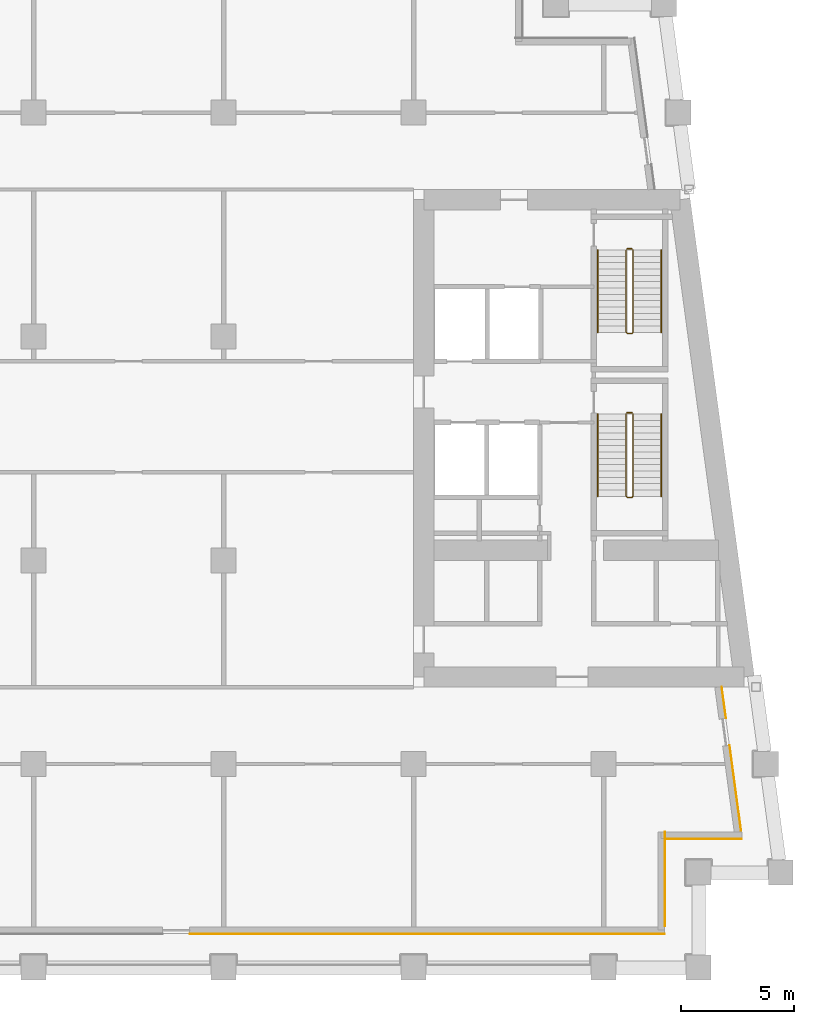
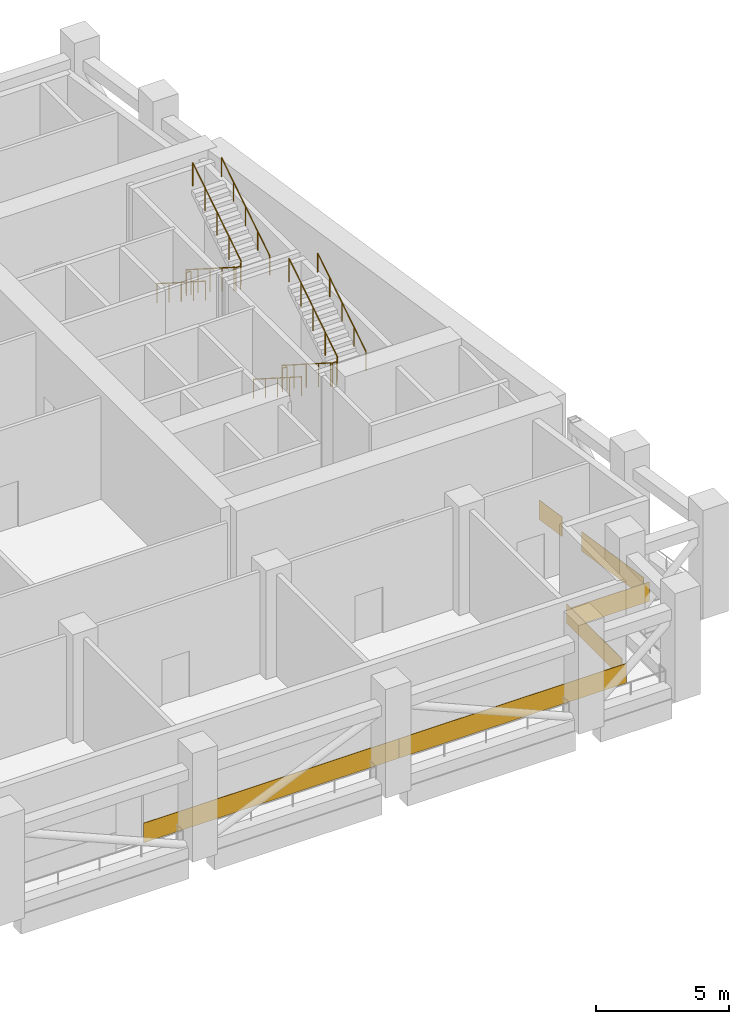
# One storey, part 11 of 12: 8 railings, 6 coverings.
"""IFC4 building model written with IfcOpenShell, lengths in metres."""

from ifc_helpers import new_model, si_unit, direction, frame, origin, origin_2d, place, context, subcontext, project, spatial, rectangle, circle, extrude, material, layer, layer_set, type_object, element, save


model = new_model("IFC4")

# Units and contexts
model_context = context("Model", 3, precision=1e-05, world=origin(), true_north=direction((0.0, 1.0)))
body_context = subcontext(model_context, "Body", "Model", "MODEL_VIEW")
ifc_project = project(units=[si_unit("LENGTHUNIT", "METRE"), si_unit("AREAUNIT", "SQUARE_METRE"), si_unit("VOLUMEUNIT", "CUBIC_METRE"), si_unit("PLANEANGLEUNIT", "RADIAN"), si_unit("MASSUNIT", "GRAM", prefix="KILO")], contexts=[model_context])

# Site, building, storey
site_placement = place(None, origin())
site = spatial("IfcSite", under=ifc_project, at=site_placement, CompositionType="ELEMENT")
building_placement = place(site_placement, origin())
building = spatial("IfcBuilding", under=site, at=building_placement, Name="Candeia Pilgrim Tower and Theatre", CompositionType="ELEMENT")
storey_placement = place(building_placement, frame((0.0, 0.0, 197.199951171875)))
storey = spatial("IfcBuildingStorey", under=building, at=storey_placement, Name="L47", CompositionType="ELEMENT", Elevation=197.199951171875)

# Coverings
ifc_material_1 = material(Name="Glazed ceramic tile bottle green")
ifc_layer_1 = layer(ifc_material_1, 0.02001953125)
ifc_layer_set_1 = layer_set([ifc_layer_1], Name="Glazed ceramic tile bottle green")
covering_type_1 = type_object("IfcCoveringType", Name="Glazed ceramic tile bottle green", PredefinedType="CLADDING", material=ifc_layer_set_1)
covering_1_placement = place(storey_placement, frame((121.64990234375, 99.489990234375, 0.0), z_axis=(0.0, 0.0, 1.0), x_axis=(1.0, 0.0, 0.0)))
element("IfcCovering", 1, at=covering_1_placement, inside=storey, type_object=covering_type_1, Name="Tile cladding bottle green L47", PredefinedType="CLADDING", context=body_context, shape_type="SweptSolid", body=[
    extrude(rectangle(XDim=11.10009765625, YDim=0.02001953125, at=origin_2d()), origin(), (0.0, 0.0, 1.0), 0.89990234375),
])
covering_2_placement = place(storey_placement, frame((137.110107421875, 101.909912109375, 0.0), z_axis=(0.0, 0.0, 1.0), x_axis=(0.0, 1.0, 0.0)))
element("IfcCovering", 2, at=covering_2_placement, inside=storey, type_object=covering_type_1, Name="Tile cladding bottle green L47", PredefinedType="CLADDING", context=body_context, shape_type="SweptSolid", body=[
    extrude(rectangle(XDim=4.179931640625, YDim=0.02001953125, at=origin_2d()), origin(), (0.0, 0.0, 1.0), 0.89990234375),
])
covering_3_placement = place(storey_placement, frame((140.228515625, 105.933349609375, 0.0), z_axis=(0.0, 0.0, 1.0), x_axis=(-0.133412012145, 0.991060661622, 0.0)))
element("IfcCovering", 3, at=covering_3_placement, inside=storey, type_object=covering_type_1, Name="Tile cladding bottle green L47", PredefinedType="CLADDING", context=body_context, shape_type="SweptSolid", body=[
    extrude(rectangle(XDim=3.821044921875, YDim=0.02001953125, at=origin_2d()), origin(), (0.0, 0.0, 1.0), 0.89990234375),
])
covering_4_placement = place(storey_placement, frame((139.718994140625, 109.71875, 0.0), z_axis=(0.0, 0.0, 1.0), x_axis=(-0.133412012145, 0.991060661622, 0.0)))
element("IfcCovering", 4, at=covering_4_placement, inside=storey, type_object=covering_type_1, Name="Tile cladding bottle green L47", PredefinedType="CLADDING", context=body_context, shape_type="SweptSolid", body=[
    extrude(rectangle(XDim=1.41796875, YDim=0.02001953125, at=origin_2d()), origin(), (0.0, 0.0, 1.0), 0.89990234375),
])
ifc_material_2 = material(Name="Glazed ceramic tile rust")
ifc_layer_2 = layer(ifc_material_2, 0.02001953125)
ifc_layer_set_2 = layer_set([ifc_layer_2], Name="Glazed ceramic tile rust")
covering_type_2 = type_object("IfcCoveringType", Name="Glazed ceramic tile rust", PredefinedType="CLADDING", material=ifc_layer_set_2)
covering_5_placement = place(storey_placement, frame((132.14990234375, 99.489990234375, 0.0), z_axis=(0.0, 0.0, 1.0), x_axis=(1.0, 0.0, 0.0)))
element("IfcCovering", 5, at=covering_5_placement, inside=storey, type_object=covering_type_2, Name="Tile cladding rust L47", PredefinedType="CLADDING", context=body_context, shape_type="SweptSolid", body=[
    extrude(rectangle(XDim=9.89990234375, YDim=0.02001953125, at=origin_2d()), origin(), (0.0, 0.0, 1.0), 0.89990234375),
])
covering_6_placement = place(storey_placement, frame((138.819580078125, 103.68994140625, 0.0), z_axis=(0.0, 0.0, 1.0), x_axis=(1.0, 0.0, 0.0)))
element("IfcCovering", 6, at=covering_6_placement, inside=storey, type_object=covering_type_2, Name="Tile cladding rust L47", PredefinedType="CLADDING", context=body_context, shape_type="SweptSolid", body=[
    extrude(rectangle(XDim=3.399169921875, YDim=0.02001953125, at=origin_2d()), origin(), (0.0, 0.0, 1.0), 0.89990234375),
])

# Railings
ifc_material_3 = material(Name="Stainless steel balustrade", Category="steel")
railing_type_1 = type_object("IfcRailingType", Name="RL-GUARD-1100", PredefinedType="GUARDRAIL", material=ifc_material_3)
railing_1_placement = place(storey_placement, frame((135.39794921875, 122.47509765625, 0.1787109375)))
element("IfcRailing", 7, at=railing_1_placement, inside=storey, type_object=railing_type_1, Name="L47 ST3 stair guard 1", PredefinedType="GUARDRAIL", context=body_context, shape_type="SweptSolid", body=[
    extrude(circle(Radius=0.02392578125, at=origin_2d()), frame((0.0, 0.0, 1.076171875), z_axis=(0.0, -0.843153495434, 0.537672933239), x_axis=(1.0, 0.0, 0.0)), (0.0, 0.0, 1.0), 4.3173828125),
    extrude(circle(Radius=0.02392578125, at=origin_2d()), frame((0.0, -3.64013671875, 3.3974609375), z_axis=(0.707106781187, -0.707106781187, 0.0), x_axis=(0.707106781187, 0.707106781187, 0.0)), (0.0, 0.0, 1.0), 0.07080078125),
    extrude(circle(Radius=0.02392578125, at=origin_2d()), frame((0.050048828125, -3.690185546875, 3.3974609375), z_axis=(1.0, 0.0, 0.0), x_axis=(0.0, 1.0, 0.0)), (0.0, 0.0, 1.0), 0.199951171875),
    extrude(circle(Radius=0.02392578125, at=origin_2d()), frame((0.25, -3.690185546875, 3.3974609375), z_axis=(0.260376719329, 0.260376719329, 0.929735407556), x_axis=(-0.707106781187, 0.707106781187, 0.0)), (0.0, 0.0, 1.0), 0.192138671875),
    extrude(circle(Radius=0.02392578125, at=origin_2d()), frame((0.300048828125, -3.64013671875, 3.576171875), z_axis=(0.0, 0.843153495434, 0.537672933239), x_axis=(-1.0, 0.0, 0.0)), (0.0, 0.0, 1.0), 4.3173828125),
    extrude(circle(Radius=0.02099609375, at=origin_2d()), origin(), (0.0, 0.0, 1.0), 1.052001953125),
    extrude(circle(Radius=0.02099609375, at=origin_2d()), frame((0.0, -0.91015625, 0.580322265625)), (0.0, 0.0, 1.0), 1.052001953125),
    extrude(circle(Radius=0.02099609375, at=origin_2d()), frame((0.0, -1.820068359375, 1.16064453125)), (0.0, 0.0, 1.0), 1.052001953125),
    extrude(circle(Radius=0.02099609375, at=origin_2d()), frame((0.0, -2.72998046875, 1.740966796875)), (0.0, 0.0, 1.0), 1.052001953125),
    extrude(circle(Radius=0.02099609375, at=origin_2d()), frame((0.0, -3.64013671875, 2.3212890625)), (0.0, 0.0, 1.0), 1.052001953125),
    extrude(circle(Radius=0.02099609375, at=origin_2d()), frame((0.050048828125, -3.690185546875, 2.3212890625)), (0.0, 0.0, 1.0), 1.052001953125),
    extrude(circle(Radius=0.02099609375, at=origin_2d()), frame((0.25, -3.690185546875, 2.3212890625)), (0.0, 0.0, 1.0), 1.052001953125),
    extrude(circle(Radius=0.02099609375, at=origin_2d()), frame((0.300048828125, -3.64013671875, 2.5)), (0.0, 0.0, 1.0), 1.052001953125),
    extrude(circle(Radius=0.02099609375, at=origin_2d()), frame((0.300048828125, -2.72998046875, 3.080322265625)), (0.0, 0.0, 1.0), 1.052001953125),
    extrude(circle(Radius=0.02099609375, at=origin_2d()), frame((0.300048828125, -1.820068359375, 3.66064453125)), (0.0, 0.0, 1.0), 1.052001953125),
    extrude(circle(Radius=0.02099609375, at=origin_2d()), frame((0.300048828125, -0.91015625, 4.240966796875)), (0.0, 0.0, 1.0), 1.052001953125),
    extrude(circle(Radius=0.02099609375, at=origin_2d()), frame((0.300048828125, 0.0, 4.8212890625)), (0.0, 0.0, 1.0), 1.052001953125),
])
railing_2_placement = place(storey_placement, frame((135.447998046875, 122.52490234375, 0.0)))
element("IfcRailing", 8, at=railing_2_placement, inside=storey, type_object=railing_type_1, Name="L47 ST3 stair guard 2", PredefinedType="GUARDRAIL", context=body_context, shape_type="SweptSolid", body=[
    extrude(circle(Radius=0.02392578125, at=origin_2d()), frame((0.0, 0.0, 1.076171875), z_axis=(1.0, 0.0, 0.0), x_axis=(0.0, 1.0, 0.0)), (0.0, 0.0, 1.0), 0.199951171875),
    extrude(circle(Radius=0.02099609375, at=origin_2d()), origin(), (0.0, 0.0, 1.0), 1.052001953125),
    extrude(circle(Radius=0.02099609375, at=origin_2d()), frame((0.199951171875, 0.0, 0.0)), (0.0, 0.0, 1.0), 1.052001953125),
])
railing_3_placement = place(storey_placement, frame((135.39794921875, 129.72509765625, 0.1787109375)))
element("IfcRailing", 9, at=railing_3_placement, inside=storey, type_object=railing_type_1, Name="L47 ST4 stair guard 1", PredefinedType="GUARDRAIL", context=body_context, shape_type="SweptSolid", body=[
    extrude(circle(Radius=0.02392578125, at=origin_2d()), frame((0.0, 0.0, 1.076171875), z_axis=(0.0, -0.843153495434, 0.537672933239), x_axis=(1.0, 0.0, 0.0)), (0.0, 0.0, 1.0), 4.3173828125),
    extrude(circle(Radius=0.02392578125, at=origin_2d()), frame((0.0, -3.64013671875, 3.3974609375), z_axis=(0.707106781187, -0.707106781187, 0.0), x_axis=(0.707106781187, 0.707106781187, 0.0)), (0.0, 0.0, 1.0), 0.07080078125),
    extrude(circle(Radius=0.02392578125, at=origin_2d()), frame((0.050048828125, -3.690185546875, 3.3974609375), z_axis=(1.0, 0.0, 0.0), x_axis=(0.0, 1.0, 0.0)), (0.0, 0.0, 1.0), 0.199951171875),
    extrude(circle(Radius=0.02392578125, at=origin_2d()), frame((0.25, -3.690185546875, 3.3974609375), z_axis=(0.260376719329, 0.260376719329, 0.929735407556), x_axis=(-0.707106781187, 0.707106781187, 0.0)), (0.0, 0.0, 1.0), 0.192138671875),
    extrude(circle(Radius=0.02392578125, at=origin_2d()), frame((0.300048828125, -3.64013671875, 3.576171875), z_axis=(0.0, 0.843153495434, 0.537672933239), x_axis=(-1.0, 0.0, 0.0)), (0.0, 0.0, 1.0), 4.3173828125),
    extrude(circle(Radius=0.02099609375, at=origin_2d()), origin(), (0.0, 0.0, 1.0), 1.052001953125),
    extrude(circle(Radius=0.02099609375, at=origin_2d()), frame((0.0, -0.91015625, 0.580322265625)), (0.0, 0.0, 1.0), 1.052001953125),
    extrude(circle(Radius=0.02099609375, at=origin_2d()), frame((0.0, -1.820068359375, 1.16064453125)), (0.0, 0.0, 1.0), 1.052001953125),
    extrude(circle(Radius=0.02099609375, at=origin_2d()), frame((0.0, -2.72998046875, 1.740966796875)), (0.0, 0.0, 1.0), 1.052001953125),
    extrude(circle(Radius=0.02099609375, at=origin_2d()), frame((0.0, -3.64013671875, 2.3212890625)), (0.0, 0.0, 1.0), 1.052001953125),
    extrude(circle(Radius=0.02099609375, at=origin_2d()), frame((0.050048828125, -3.690185546875, 2.3212890625)), (0.0, 0.0, 1.0), 1.052001953125),
    extrude(circle(Radius=0.02099609375, at=origin_2d()), frame((0.25, -3.690185546875, 2.3212890625)), (0.0, 0.0, 1.0), 1.052001953125),
    extrude(circle(Radius=0.02099609375, at=origin_2d()), frame((0.300048828125, -3.64013671875, 2.5)), (0.0, 0.0, 1.0), 1.052001953125),
    extrude(circle(Radius=0.02099609375, at=origin_2d()), frame((0.300048828125, -2.72998046875, 3.080322265625)), (0.0, 0.0, 1.0), 1.052001953125),
    extrude(circle(Radius=0.02099609375, at=origin_2d()), frame((0.300048828125, -1.820068359375, 3.66064453125)), (0.0, 0.0, 1.0), 1.052001953125),
    extrude(circle(Radius=0.02099609375, at=origin_2d()), frame((0.300048828125, -0.91015625, 4.240966796875)), (0.0, 0.0, 1.0), 1.052001953125),
    extrude(circle(Radius=0.02099609375, at=origin_2d()), frame((0.300048828125, 0.0, 4.8212890625)), (0.0, 0.0, 1.0), 1.052001953125),
])
railing_4_placement = place(storey_placement, frame((135.447998046875, 129.77490234375, 0.0)))
element("IfcRailing", 10, at=railing_4_placement, inside=storey, type_object=railing_type_1, Name="L47 ST4 stair guard 2", PredefinedType="GUARDRAIL", context=body_context, shape_type="SweptSolid", body=[
    extrude(circle(Radius=0.02392578125, at=origin_2d()), frame((0.0, 0.0, 1.076171875), z_axis=(1.0, 0.0, 0.0), x_axis=(0.0, 1.0, 0.0)), (0.0, 0.0, 1.0), 0.199951171875),
    extrude(circle(Radius=0.02099609375, at=origin_2d()), origin(), (0.0, 0.0, 1.0), 1.052001953125),
    extrude(circle(Radius=0.02099609375, at=origin_2d()), frame((0.199951171875, 0.0, 0.0)), (0.0, 0.0, 1.0), 1.052001953125),
])
ifc_material_4 = material(Name="Stainless steel handrail", Category="steel")
railing_type_2 = type_object("IfcRailingType", Name="RL-HANDRAIL-900", PredefinedType="HANDRAIL", material=ifc_material_4)
railing_5_placement = place(storey_placement, frame((134.14794921875, 122.47509765625, 0.1787109375)))
element("IfcRailing", 11, at=railing_5_placement, inside=storey, type_object=railing_type_2, Name="L47 ST3 stair handrail 1", PredefinedType="HANDRAIL", context=body_context, shape_type="SweptSolid", body=[
    extrude(circle(Radius=0.02392578125, at=origin_2d()), frame((0.0, 0.0, 0.8759765625), z_axis=(0.0, -0.843153495434, 0.537672933239), x_axis=(1.0, 0.0, 0.0)), (0.0, 0.0, 1.0), 4.3173828125),
    extrude(circle(Radius=0.02099609375, at=origin_2d()), origin(), (0.0, 0.0, 1.0), 0.851806640625),
    extrude(circle(Radius=0.02099609375, at=origin_2d()), frame((0.0, -0.91015625, 0.580322265625)), (0.0, 0.0, 1.0), 0.851806640625),
    extrude(circle(Radius=0.02099609375, at=origin_2d()), frame((0.0, -1.820068359375, 1.16064453125)), (0.0, 0.0, 1.0), 0.851806640625),
    extrude(circle(Radius=0.02099609375, at=origin_2d()), frame((0.0, -2.72998046875, 1.740966796875)), (0.0, 0.0, 1.0), 0.851806640625),
    extrude(circle(Radius=0.02099609375, at=origin_2d()), frame((0.0, -3.64013671875, 2.3212890625)), (0.0, 0.0, 1.0), 0.851806640625),
])
railing_6_placement = place(storey_placement, frame((136.947998046875, 118.8349609375, 2.6787109375)))
element("IfcRailing", 12, at=railing_6_placement, inside=storey, type_object=railing_type_2, Name="L47 ST3 stair handrail 2", PredefinedType="HANDRAIL", context=body_context, shape_type="SweptSolid", body=[
    extrude(circle(Radius=0.02392578125, at=origin_2d()), frame((0.0, 0.0, 0.8759765625), z_axis=(0.0, 0.843153495434, 0.537672933239), x_axis=(-1.0, 0.0, 0.0)), (0.0, 0.0, 1.0), 4.3173828125),
    extrude(circle(Radius=0.02099609375, at=origin_2d()), origin(), (0.0, 0.0, 1.0), 0.851806640625),
    extrude(circle(Radius=0.02099609375, at=origin_2d()), frame((0.0, 0.91015625, 0.580322265625)), (0.0, 0.0, 1.0), 0.851806640625),
    extrude(circle(Radius=0.02099609375, at=origin_2d()), frame((0.0, 1.820068359375, 1.16064453125)), (0.0, 0.0, 1.0), 0.851806640625),
    extrude(circle(Radius=0.02099609375, at=origin_2d()), frame((0.0, 2.72998046875, 1.740966796875)), (0.0, 0.0, 1.0), 0.851806640625),
    extrude(circle(Radius=0.02099609375, at=origin_2d()), frame((0.0, 3.64013671875, 2.3212890625)), (0.0, 0.0, 1.0), 0.851806640625),
])
railing_7_placement = place(storey_placement, frame((134.14794921875, 129.72509765625, 0.1787109375)))
element("IfcRailing", 13, at=railing_7_placement, inside=storey, type_object=railing_type_2, Name="L47 ST4 stair handrail 1", PredefinedType="HANDRAIL", context=body_context, shape_type="SweptSolid", body=[
    extrude(circle(Radius=0.02392578125, at=origin_2d()), frame((0.0, 0.0, 0.8759765625), z_axis=(0.0, -0.843153495434, 0.537672933239), x_axis=(1.0, 0.0, 0.0)), (0.0, 0.0, 1.0), 4.3173828125),
    extrude(circle(Radius=0.02099609375, at=origin_2d()), origin(), (0.0, 0.0, 1.0), 0.851806640625),
    extrude(circle(Radius=0.02099609375, at=origin_2d()), frame((0.0, -0.91015625, 0.580322265625)), (0.0, 0.0, 1.0), 0.851806640625),
    extrude(circle(Radius=0.02099609375, at=origin_2d()), frame((0.0, -1.820068359375, 1.16064453125)), (0.0, 0.0, 1.0), 0.851806640625),
    extrude(circle(Radius=0.02099609375, at=origin_2d()), frame((0.0, -2.72998046875, 1.740966796875)), (0.0, 0.0, 1.0), 0.851806640625),
    extrude(circle(Radius=0.02099609375, at=origin_2d()), frame((0.0, -3.64013671875, 2.3212890625)), (0.0, 0.0, 1.0), 0.851806640625),
])
railing_8_placement = place(storey_placement, frame((136.947998046875, 126.0849609375, 2.6787109375)))
element("IfcRailing", 14, at=railing_8_placement, inside=storey, type_object=railing_type_2, Name="L47 ST4 stair handrail 2", PredefinedType="HANDRAIL", context=body_context, shape_type="SweptSolid", body=[
    extrude(circle(Radius=0.02392578125, at=origin_2d()), frame((0.0, 0.0, 0.8759765625), z_axis=(0.0, 0.843153495434, 0.537672933239), x_axis=(-1.0, 0.0, 0.0)), (0.0, 0.0, 1.0), 4.3173828125),
    extrude(circle(Radius=0.02099609375, at=origin_2d()), origin(), (0.0, 0.0, 1.0), 0.851806640625),
    extrude(circle(Radius=0.02099609375, at=origin_2d()), frame((0.0, 0.91015625, 0.580322265625)), (0.0, 0.0, 1.0), 0.851806640625),
    extrude(circle(Radius=0.02099609375, at=origin_2d()), frame((0.0, 1.820068359375, 1.16064453125)), (0.0, 0.0, 1.0), 0.851806640625),
    extrude(circle(Radius=0.02099609375, at=origin_2d()), frame((0.0, 2.72998046875, 1.740966796875)), (0.0, 0.0, 1.0), 0.851806640625),
    extrude(circle(Radius=0.02099609375, at=origin_2d()), frame((0.0, 3.64013671875, 2.3212890625)), (0.0, 0.0, 1.0), 0.851806640625),
])

save(model, "model.ifc")
